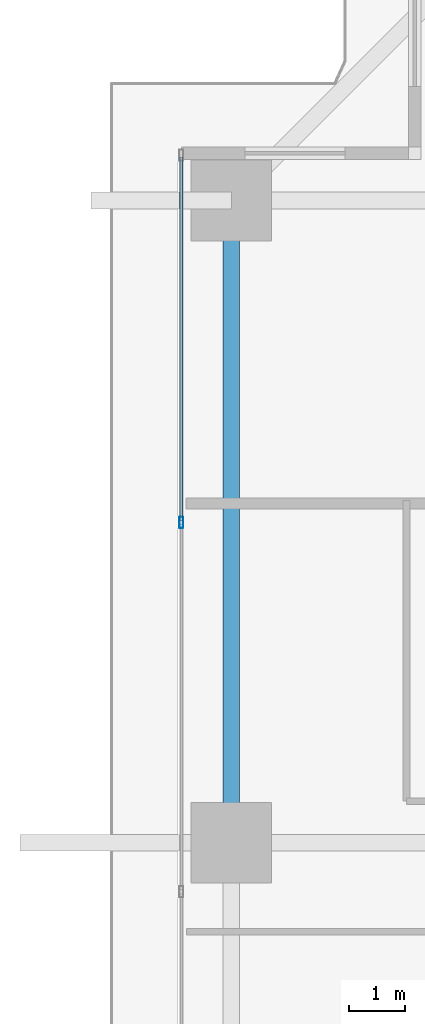
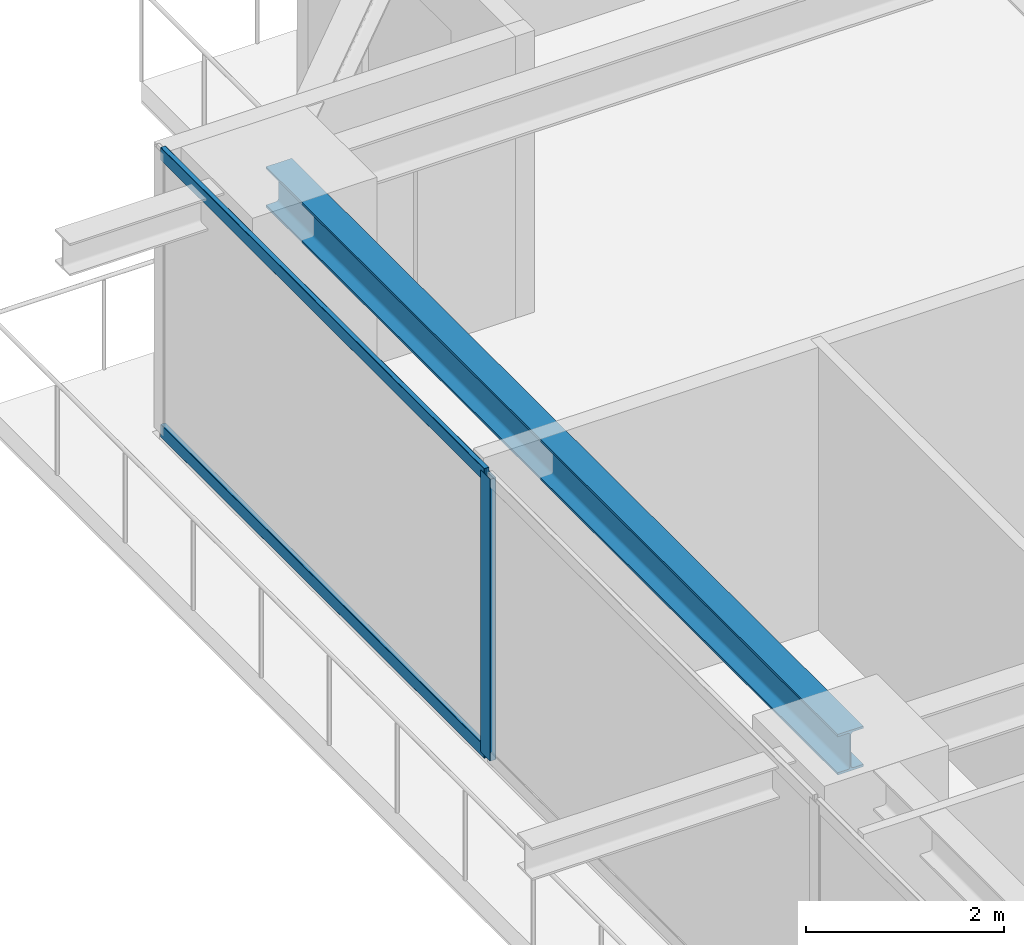
# One storey, part 15 of 38: 3 members, 1 beam, 1 element without a shape of its own.
"""IFC4 building model written with IfcOpenShell, lengths in metres."""

from ifc_helpers import new_model, si_unit, direction, frame, origin, origin_2d, place, context, subcontext, project, spatial, hollow_rectangle, i_section, extrude, source, transform, mapped, material, layer, layer_set, material_profile, profile_set, type_object, element, aggregate, save


model = new_model("IFC4")

# Units and contexts
model_context = context("Model", 3, precision=1e-05, world=origin(), true_north=direction((0.0, 1.0)))
body_context = subcontext(model_context, "Body", "Model", "MODEL_VIEW")
ifc_project = project(units=[si_unit("LENGTHUNIT", "METRE"), si_unit("AREAUNIT", "SQUARE_METRE"), si_unit("VOLUMEUNIT", "CUBIC_METRE"), si_unit("PLANEANGLEUNIT", "RADIAN"), si_unit("MASSUNIT", "GRAM", prefix="KILO")], contexts=[model_context])

# Site, building, storey
site_placement = place(None, origin())
site = spatial("IfcSite", under=ifc_project, at=site_placement, CompositionType="ELEMENT")
building_placement = place(site_placement, origin())
building = spatial("IfcBuilding", under=site, at=building_placement, Name="Serunith Strait Residences", CompositionType="ELEMENT")
storey_placement = place(building_placement, frame((0.0, 0.0, 52.949951171875)))
storey = spatial("IfcBuildingStorey", under=building, at=storey_placement, Name="L12", CompositionType="ELEMENT", Elevation=52.949951171875)

# Beam
ifc_material_1 = material(Name="Steel S355J2", Category="steel")
ifc_material_profile_1 = material_profile(ifc_material_1, i_section(OverallWidth=0.300048828125, OverallDepth=0.5, WebThickness=0.014404296875, FlangeThickness=0.028076171875, FilletRadius=0.027099609375, at=origin_2d()), Name="HEB 500")
ifc_profile_set_1 = profile_set([ifc_material_profile_1], Name="Steel S355J2")
beam_type = type_object("IfcBeamType", Name="BM-HEB500", PredefinedType="BEAM", material=ifc_profile_set_1)
shared_shape_1 = source(origin(), body_context, "Body", "SweptSolid", [
    extrude(i_section(OverallWidth=0.300048828125, OverallDepth=0.5, WebThickness=0.014404296875, FlangeThickness=0.028076171875, FilletRadius=0.027099609375, at=origin_2d()), origin(), (0.0, 0.0, 1.0), 11.550048828125),
])
beam_placement = place(storey_placement, frame((6.89990234375, 40.949951171875, 3.237060546875), z_axis=(0.0, -1.0, 0.0), x_axis=(1.0, 0.0, 0.0)))
element("IfcBeam", 1, at=beam_placement, inside=storey, type_object=beam_type, Name="L12 Perimeter Ring Beam 13", PredefinedType="BEAM", context=body_context, shape_type="MappedRepresentation", body=[
    mapped(shared_shape_1, transform((0.0, 0.0, 0.0), scale=1.0)),
])

# Curtain wall, members
ifc_material_2 = material(Name="Pale-Champagne Anodised Aluminium", Category="aluminium")
ifc_layer = layer(ifc_material_2, 0.199951171875, Name="Pale-Champagne Anodised Aluminium")
ifc_layer_set = layer_set([ifc_layer], Name="Pale-Champagne Anodised Aluminium")
curtain_wall_type = type_object("IfcCurtainWallType", Name="CW-SYS1", PredefinedType="NOTDEFINED", material=ifc_layer_set)
curtain_wall_placement = place(storey_placement, origin())
curtain_wall = element("IfcCurtainWall", 2, at=curtain_wall_placement, inside=storey, type_object=curtain_wall_type, Name="L12 W Unitised Fritted Curtain Wall", PredefinedType="NOTDEFINED")
ifc_material_profile_2 = material_profile(ifc_material_2, hollow_rectangle(XDim=0.070068359375, YDim=0.199951171875, WallThickness=0.00390625, InnerFilletRadius=0.006103515625, OuterFilletRadius=0.010009765625, at=origin_2d()), Name="ALU 200x70x4")
ifc_profile_set_2 = profile_set([ifc_material_profile_2], Name="Pale-Champagne Anodised Aluminium")
member_type_1 = type_object("IfcMemberType", Name="CW-SYS1-MULL", PredefinedType="MULLION", material=ifc_profile_set_2)
shared_shape_2 = source(origin(), body_context, "Body", "SweptSolid", [
    extrude(hollow_rectangle(XDim=0.070068359375, YDim=0.199951171875, WallThickness=0.00390625, InnerFilletRadius=0.006103515625, OuterFilletRadius=0.010009765625, at=origin_2d()), origin(), (0.0, 0.0, 1.0), 3.47509765625),
])
member_1_placement = place(storey_placement, frame((6.0, 35.159912109375, 0.0), z_axis=(0.0, 0.0, 1.0), x_axis=(1.0, 0.0, 0.0)))
member_1 = element("IfcMember", 3, at=member_1_placement, type_object=member_type_1, Name="CW-1 mullion 2", PredefinedType="MULLION", context=body_context, shape_type="MappedRepresentation", body=[
    mapped(shared_shape_2, transform((0.0, 0.0, 0.0), scale=1.0)),
])
ifc_material_profile_3 = material_profile(ifc_material_2, hollow_rectangle(XDim=0.06005859375, YDim=0.159912109375, WallThickness=0.00341796875, InnerFilletRadius=0.00537109375, OuterFilletRadius=0.0087890625, at=origin_2d()), Name="ALU 160x60x3.5")
ifc_profile_set_3 = profile_set([ifc_material_profile_3], Name="Pale-Champagne Anodised Aluminium")
member_type_2 = type_object("IfcMemberType", Name="CW-SYS1-TRAN", PredefinedType="USERDEFINED", material=ifc_profile_set_3)
shared_shape_3 = source(origin(), body_context, "Body", "SweptSolid", [
    extrude(hollow_rectangle(XDim=0.06005859375, YDim=0.159912109375, WallThickness=0.00341796875, InnerFilletRadius=0.00537109375, OuterFilletRadius=0.0087890625, at=origin_2d()), origin(), (0.0, 0.0, 1.0), 6.534912109375),
])
member_2_placement = place(storey_placement, frame((6.0, 41.72998046875, 0.030029296875), z_axis=(0.0, -1.0, 0.0), x_axis=(1.0, 0.0, 0.0)))
member_2 = element("IfcMember", 4, at=member_2_placement, type_object=member_type_2, Name="CW-1 transom 1.1", ObjectType="TRANSOM", PredefinedType="USERDEFINED", context=body_context, shape_type="MappedRepresentation", body=[
    mapped(shared_shape_3, transform((0.0, 0.0, 0.0), scale=1.0)),
])
member_3_placement = place(storey_placement, frame((6.0, 41.72998046875, 3.445068359375), z_axis=(0.0, -1.0, 0.0), x_axis=(1.0, 0.0, 0.0)))
member_3 = element("IfcMember", 5, at=member_3_placement, type_object=member_type_2, Name="CW-1 transom 1.2", ObjectType="TRANSOM", PredefinedType="USERDEFINED", context=body_context, shape_type="MappedRepresentation", body=[
    mapped(shared_shape_3, transform((0.0, 0.0, 0.0), scale=1.0)),
])
aggregate(curtain_wall, [member_1, member_2, member_3])

save(model, "model.ifc")
